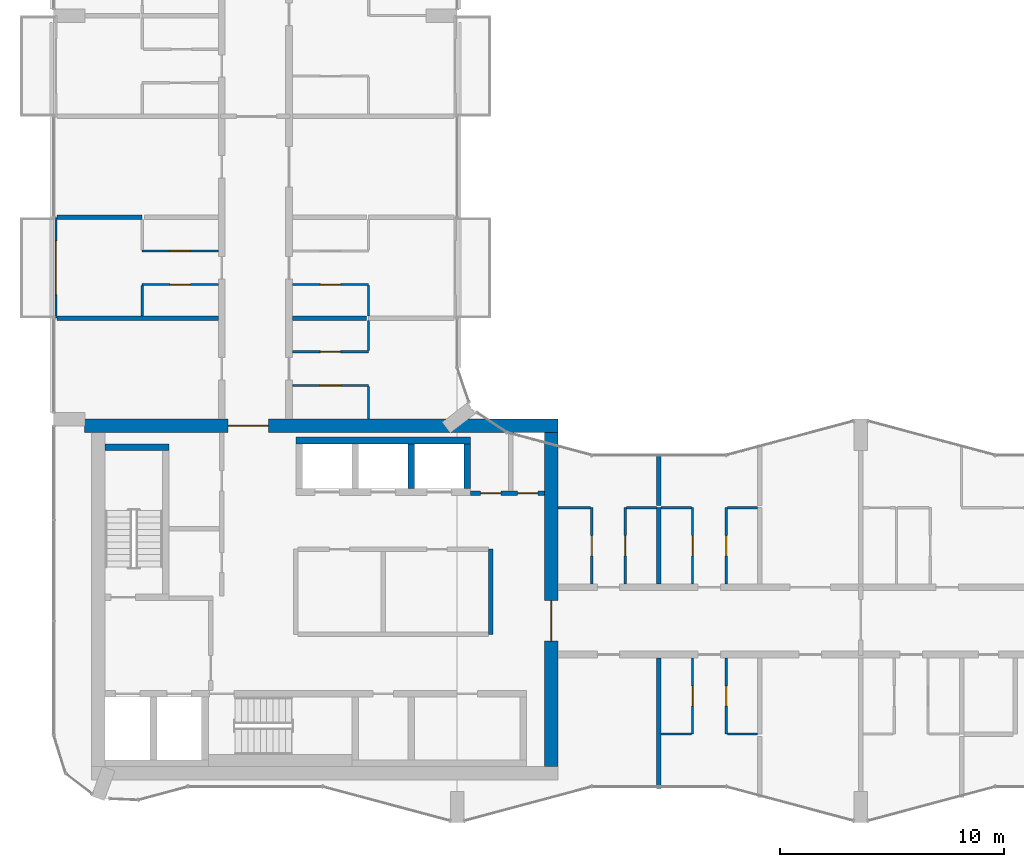
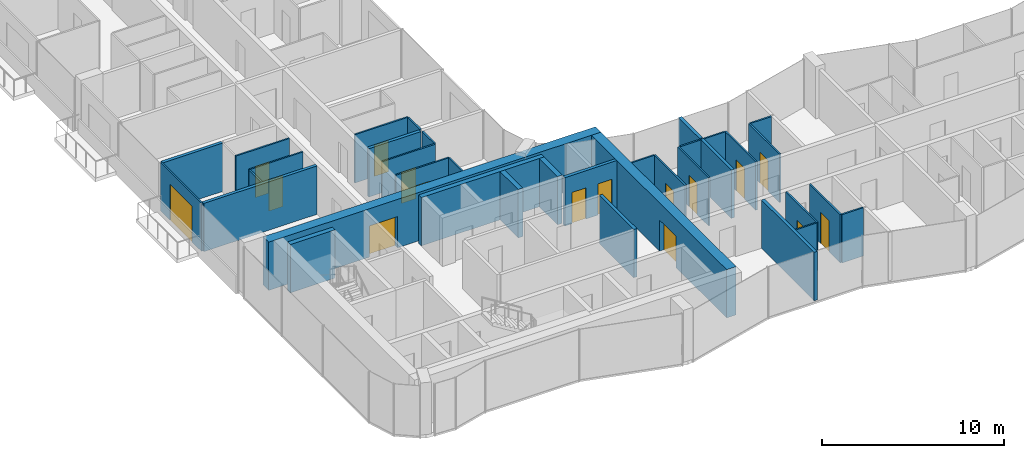
# One storey, part 10 of 16: 36 walls, 16 doors, 16 openings.
"""IFC4 building model written with IfcOpenShell, lengths in metres."""

from ifc_helpers import new_model, si_unit, direction, frame, frame_2d, origin, place, context, subcontext, project, spatial, rectangle, extrude, material, layer, layer_set, type_object, element, fill, save


model = new_model("IFC4")

# Units and contexts
model_context = context("Model", 3, precision=1e-05, world=origin(), true_north=direction((0.0, 1.0)))
body_context = subcontext(model_context, "Body", "Model", "MODEL_VIEW")
ifc_project = project(units=[si_unit("LENGTHUNIT", "METRE"), si_unit("AREAUNIT", "SQUARE_METRE"), si_unit("VOLUMEUNIT", "CUBIC_METRE"), si_unit("PLANEANGLEUNIT", "RADIAN"), si_unit("MASSUNIT", "GRAM", prefix="KILO")], contexts=[model_context])

# Site, building, storey
site_placement = place(None, origin())
site = spatial("IfcSite", under=ifc_project, at=site_placement, CompositionType="ELEMENT")
building_placement = place(site_placement, origin())
building = spatial("IfcBuilding", under=site, at=building_placement, Name="Plateau Cross Towers", CompositionType="ELEMENT")
storey_placement = place(building_placement, frame((0.0, 0.0, 160.39990234375)))
storey = spatial("IfcBuildingStorey", under=building, at=storey_placement, Name="L41", CompositionType="ELEMENT", Elevation=160.39990234375)

# Wall, opening, door
ifc_material_1 = material(Name="Aluminium framed glazing", Category="aluminium")
ifc_layer_1 = layer(ifc_material_1, 0.10009765625)
ifc_layer_set_1 = layer_set([ifc_layer_1], Name="Aluminium framed glazing")
wall_type_1 = type_object("IfcWallType", Name="Balcony screen wall 100", PredefinedType="STANDARD", material=ifc_layer_set_1)
wall_1_placement = place(storey_placement, frame((0.10009765625, 22.5, 0.0), z_axis=(0.0, 0.0, 1.0), x_axis=(0.0, 1.0, 0.0)))
wall_1 = element("IfcWall", 1, at=wall_1_placement, inside=storey, type_object=wall_type_1, Name="Balcony screen wall A-BAL-L41-01", PredefinedType="STANDARD", context=body_context, shape_type="SweptSolid", body=[
    extrude(rectangle(XDim=4.5, YDim=0.10009765625, at=frame_2d((2.25, 0.0))), origin(), (0.0, 0.0, 1.0), 3.25),
])
opening_1_placement = place(wall_1_placement, frame((1.050048828125, 0.0, 0.0)))
opening_1 = element("IfcOpeningElement", 2, at=opening_1_placement, cuts=wall_1, Name="Opening D-B24", PredefinedType="OPENING", context=body_context, shape_type="SweptSolid", body=[
    extrude(rectangle(XDim=2.39990234375, YDim=2.39990234375, at=frame_2d((1.199951171875, 1.199951171875))), frame((0.0, 0.06005859375, 0.0), z_axis=(0.0, -1.0, 0.0), x_axis=(1.0, 0.0, 0.0)), (0.0, 0.0, 1.0), 0.1201171875),
])
ifc_material_2 = material(Name="Aluminium frame, double glazing", Category="aluminium")
door_type_1 = type_object("IfcDoorType", Name="Balcony sliding door 2400", OperationType="NOTDEFINED", PredefinedType="DOOR", material=ifc_material_2)
door_1_placement = place(opening_1_placement, origin())
door_1 = element("IfcDoor", 3, at=door_1_placement, inside=storey, type_object=door_type_1, Name="Balcony door A-BAL-L41-01", OperationType="SINGLE_SWING_LEFT", OverallHeight=2.39990234375, OverallWidth=2.39990234375, PredefinedType="DOOR", context=body_context, shape_type="SweptSolid", body=[
    extrude(rectangle(XDim=2.39990234375, YDim=2.39990234375, at=frame_2d((1.199951171875, 1.199951171875))), frame((0.0, 0.02490234375, 0.0), z_axis=(0.0, -1.0, 0.0), x_axis=(1.0, 0.0, 0.0)), (0.0, 0.0, 1.0), 0.050048828125),
])
fill(opening_1, door_1)

# Wall
ifc_material_3 = material(Name="Concrete block, plastered both sides", Category="concrete")
ifc_layer_2 = layer(ifc_material_3, 0.199951171875)
ifc_layer_set_2 = layer_set([ifc_layer_2], Name="Concrete block, plastered both sides")
wall_type_2 = type_object("IfcWallType", Name="Core partition 200", PredefinedType="PARTITIONING", material=ifc_layer_set_2)
wall_2_placement = place(storey_placement, frame((19.5, 8.39990234375, 0.0), z_axis=(0.0, 0.0, 1.0), x_axis=(0.0, 1.0, 0.0)))
element("IfcWall", 4, at=wall_2_placement, inside=storey, type_object=wall_type_2, Name="Core partition", PredefinedType="PARTITIONING", context=body_context, shape_type="SweptSolid", body=[
    extrude(rectangle(XDim=3.800048828125, YDim=0.199951171875, at=frame_2d((1.89990234375, 0.0))), origin(), (0.0, 0.0, 1.0), 3.25),
])

# Wall, openings, doors
wall_3_placement = place(storey_placement, frame((18.60009765625, 14.699951171875, 0.0), z_axis=(0.0, 0.0, 1.0), x_axis=(1.0, 0.0, 0.0)))
wall_3 = element("IfcWall", 5, at=wall_3_placement, inside=storey, type_object=wall_type_2, Name="Core partition", PredefinedType="PARTITIONING", context=body_context, shape_type="SweptSolid", body=[
    extrude(rectangle(XDim=3.2998046875, YDim=0.199951171875, at=frame_2d((1.64990234375, 0.0))), origin(), (0.0, 0.0, 1.0), 3.25),
])
opening_2_placement = place(wall_3_placement, frame((0.449951171875, 0.0, 0.0)))
opening_2 = element("IfcOpeningElement", 6, at=opening_2_placement, cuts=wall_3, Name="Opening RD2", PredefinedType="OPENING", context=body_context, shape_type="SweptSolid", body=[
    extrude(rectangle(XDim=0.89990234375, YDim=2.10009765625, at=frame_2d((0.449951171875, 1.050048828125))), frame((0.0, 0.10986328125, 0.0), z_axis=(0.0, -1.0, 0.0), x_axis=(1.0, 0.0, 0.0)), (0.0, 0.0, 1.0), 0.219970703125),
])
opening_3_placement = place(wall_3_placement, frame((2.10009765625, 0.0, 0.0)))
opening_3 = element("IfcOpeningElement", 7, at=opening_3_placement, cuts=wall_3, Name="Opening RD2", PredefinedType="OPENING", context=body_context, shape_type="SweptSolid", body=[
    extrude(rectangle(XDim=0.89990234375, YDim=2.10009765625, at=frame_2d((0.449951171875, 1.050048828125))), frame((0.0, 0.10986328125, 0.0), z_axis=(0.0, -1.0, 0.0), x_axis=(1.0, 0.0, 0.0)), (0.0, 0.0, 1.0), 0.219970703125),
])
ifc_material_4 = material(Name="Steel, fire-resisting leaf", Category="steel")
door_type_2 = type_object("IfcDoorType", Name="Core riser door 900", OperationType="NOTDEFINED", PredefinedType="DOOR", material=ifc_material_4)
door_2_placement = place(opening_2_placement, origin())
door_2 = element("IfcDoor", 8, at=door_2_placement, inside=storey, type_object=door_type_2, Name="Core riser door RD2", OperationType="SINGLE_SWING_LEFT", OverallHeight=2.10009765625, OverallWidth=0.89990234375, PredefinedType="DOOR", context=body_context, shape_type="SweptSolid", body=[
    extrude(rectangle(XDim=0.89990234375, YDim=2.10009765625, at=frame_2d((0.449951171875, 1.050048828125))), frame((0.0, 0.02490234375, 0.0), z_axis=(0.0, -1.0, 0.0), x_axis=(1.0, 0.0, 0.0)), (0.0, 0.0, 1.0), 0.050048828125),
])
fill(opening_2, door_2)
door_3_placement = place(opening_3_placement, origin())
door_3 = element("IfcDoor", 9, at=door_3_placement, inside=storey, type_object=door_type_2, Name="Core riser door RD2", OperationType="SINGLE_SWING_LEFT", OverallHeight=2.10009765625, OverallWidth=0.89990234375, PredefinedType="DOOR", context=body_context, shape_type="SweptSolid", body=[
    extrude(rectangle(XDim=0.89990234375, YDim=2.10009765625, at=frame_2d((0.449951171875, 1.050048828125))), frame((0.0, 0.02490234375, 0.0), z_axis=(0.0, -1.0, 0.0), x_axis=(1.0, 0.0, 0.0)), (0.0, 0.0, 1.0), 0.050048828125),
])
fill(opening_3, door_3)

# Walls
ifc_material_5 = material(Name="Concrete C60/75", Category="concrete")
ifc_layer_3 = layer(ifc_material_5, 0.300048828125)
ifc_layer_set_3 = layer_set([ifc_layer_3], Name="Concrete C60/75")
wall_type_3 = type_object("IfcWallType", Name="Core shaft wall 300", PredefinedType="SHEAR", material=ifc_layer_set_3)
wall_4_placement = place(storey_placement, frame((2.300048828125, 16.75, 0.0), z_axis=(0.0, 0.0, 1.0), x_axis=(1.0, 0.0, 0.0)))
element("IfcWall", 10, at=wall_4_placement, inside=storey, type_object=wall_type_3, Name="A-st1-N@L41", PredefinedType="SHEAR", context=body_context, shape_type="SweptSolid", body=[
    extrude(rectangle(XDim=2.849853515625, YDim=0.300048828125, at=frame_2d((1.4248046875, 0.0))), origin(), (0.0, 0.0, 1.0), 3.25),
])
wall_5_placement = place(storey_placement, frame((10.800048828125, 17.050048828125, 0.0), z_axis=(0.0, 0.0, 1.0), x_axis=(1.0, 0.0, 0.0)))
element("IfcWall", 11, at=wall_5_placement, inside=storey, type_object=wall_type_3, Name="A-nb-back@L41", PredefinedType="SHEAR", context=body_context, shape_type="SweptSolid", body=[
    extrude(rectangle(XDim=7.800048828125, YDim=0.300048828125, at=frame_2d((3.89990234375, 0.0))), origin(), (0.0, 0.0, 1.0), 3.25),
])
for number, where, z_axis, x_axis, name in (
    (12, (15.949951171875, 14.89990234375, 0.0), (0.0, 0.0, 1.0), (0.0, 1.0, 0.0), "A-nb-v3@L41"),
    (13, (18.449951171875, 14.89990234375, 0.0), (0.0, 0.0, 1.0), (0.0, 1.0, 0.0), "A-nb-v4@L41"),
):
    element("IfcWall", number, at=place(storey_placement, frame(where, z_axis=z_axis, x_axis=x_axis)), inside=storey, type_object=wall_type_3, Name=name, PredefinedType="SHEAR", context=body_context, shape_type="SweptSolid", body=[
        extrude(rectangle(XDim=2.0, YDim=0.300048828125, at=frame_2d((1.0, 0.0))), origin(), (0.0, 0.0, 1.0), 3.25),
    ])

# Wall, opening, door
ifc_layer_4 = layer(ifc_material_5, 0.60009765625)
ifc_layer_set_4 = layer_set([ifc_layer_4], Name="Concrete C60/75")
wall_type_4 = type_object("IfcWallType", Name="Core shell wall 600", PredefinedType="SHEAR", material=ifc_layer_set_4)
wall_6_placement = place(storey_placement, frame((1.3798828125, 17.699951171875, 0.0), z_axis=(0.0, 0.0, 1.0), x_axis=(1.0, 0.0, 0.0)))
wall_6 = element("IfcWall", 14, at=wall_6_placement, inside=storey, type_object=wall_type_4, Name="A-core-N@L41", PredefinedType="SHEAR", context=body_context, shape_type="SweptSolid", body=[
    extrude(rectangle(XDim=21.1201171875, YDim=0.60009765625, at=frame_2d((10.56005859375, 0.0))), origin(), (0.0, 0.0, 1.0), 3.25),
])
opening_4_placement = place(wall_6_placement, frame((6.39990234375, 0.0, 0.0)))
opening_4 = element("IfcOpeningElement", 15, at=opening_4_placement, cuts=wall_6, Name="Opening CD", PredefinedType="OPENING", context=body_context, shape_type="SweptSolid", body=[
    extrude(rectangle(XDim=1.800048828125, YDim=2.10009765625, at=frame_2d((0.89990234375, 1.050048828125))), frame((0.0, 0.31005859375, 0.0), z_axis=(0.0, -1.0, 0.0), x_axis=(1.0, 0.0, 0.0)), (0.0, 0.0, 1.0), 0.6201171875),
])
ifc_material_6 = material(Name="Steel, fire-resisting leaves", Category="steel")
door_type_3 = type_object("IfcDoorType", Name="Corridor door pair 1800", OperationType="NOTDEFINED", PredefinedType="DOOR", material=ifc_material_6)
door_4_placement = place(opening_4_placement, origin())
door_4 = element("IfcDoor", 16, at=door_4_placement, inside=storey, type_object=door_type_3, Name="Corridor door pair CD", OperationType="DOUBLE_DOOR_SINGLE_SWING", OverallHeight=2.10009765625, OverallWidth=1.800048828125, PredefinedType="DOOR", context=body_context, shape_type="SweptSolid", body=[
    extrude(rectangle(XDim=1.800048828125, YDim=2.10009765625, at=frame_2d((0.89990234375, 1.050048828125))), frame((0.0, 0.02490234375, 0.0), z_axis=(0.0, -1.0, 0.0), x_axis=(1.0, 0.0, 0.0)), (0.0, 0.0, 1.0), 0.050048828125),
])
fill(opening_4, door_4)

wall_7_placement = place(storey_placement, frame((22.199951171875, 2.5, 0.0), z_axis=(0.0, 0.0, 1.0), x_axis=(0.0, 1.0, 0.0)))
wall_7 = element("IfcWall", 17, at=wall_7_placement, inside=storey, type_object=wall_type_4, Name="A-core-E@L41", PredefinedType="SHEAR", context=body_context, shape_type="SweptSolid", body=[
    extrude(rectangle(XDim=14.89990234375, YDim=0.60009765625, at=frame_2d((7.449951171875, 0.0))), origin(), (0.0, 0.0, 1.0), 3.25),
])
opening_5_placement = place(wall_7_placement, frame((5.60009765625, 0.0, 0.0)))
opening_5 = element("IfcOpeningElement", 18, at=opening_5_placement, cuts=wall_7, Name="Opening CD", PredefinedType="OPENING", context=body_context, shape_type="SweptSolid", body=[
    extrude(rectangle(XDim=1.800048828125, YDim=2.10009765625, at=frame_2d((0.89990234375, 1.050048828125))), frame((0.0, 0.31005859375, 0.0), z_axis=(0.0, -1.0, 0.0), x_axis=(1.0, 0.0, 0.0)), (0.0, 0.0, 1.0), 0.6201171875),
])
door_5_placement = place(opening_5_placement, origin())
door_5 = element("IfcDoor", 19, at=door_5_placement, inside=storey, type_object=door_type_3, Name="Corridor door pair CD", OperationType="DOUBLE_DOOR_SINGLE_SWING", OverallHeight=2.10009765625, OverallWidth=1.800048828125, PredefinedType="DOOR", context=body_context, shape_type="SweptSolid", body=[
    extrude(rectangle(XDim=1.800048828125, YDim=2.10009765625, at=frame_2d((0.89990234375, 1.050048828125))), frame((0.0, 0.02490234375, 0.0), z_axis=(0.0, -1.0, 0.0), x_axis=(1.0, 0.0, 0.0)), (0.0, 0.0, 1.0), 0.050048828125),
])
fill(opening_5, door_5)

# Walls
ifc_material_7 = material(Name="Gypsum board on steel studs", Category="steel")
ifc_layer_5 = layer(ifc_material_7, 0.10009765625)
ifc_layer_set_5 = layer_set([ifc_layer_5], Name="Gypsum board on steel studs")
wall_type_5 = type_object("IfcWallType", Name="Flat partition 100", PredefinedType="PARTITIONING", material=ifc_layer_set_5)
for number, where, z_axis, x_axis, name in (
    (20, (27.10009765625, 3.949951171875, 0.0), (0.0, 0.0, 1.0), (1.0, 0.0, 0.0), "Partition wall"),
    (21, (30.050048828125, 3.949951171875, 0.0), (0.0, 0.0, 1.0), (1.0, 0.0, 0.0), "Partition wall"),
):
    element("IfcWall", number, at=place(storey_placement, frame(where, z_axis=z_axis, x_axis=x_axis)), inside=storey, type_object=wall_type_5, Name=name, PredefinedType="PARTITIONING", context=body_context, shape_type="SweptSolid", body=[
        extrude(rectangle(XDim=1.349853515625, YDim=0.10009765625, at=frame_2d((0.6748046875, 0.0))), origin(), (0.0, 0.0, 1.0), 3.25),
    ])
wall_8_placement = place(storey_placement, frame((23.949951171875, 14.050048828125, 0.0), z_axis=(0.0, 0.0, 1.0), x_axis=(-1.0, 0.0, 0.0)))
element("IfcWall", 22, at=wall_8_placement, inside=storey, type_object=wall_type_5, Name="Partition wall", PredefinedType="PARTITIONING", context=body_context, shape_type="SweptSolid", body=[
    extrude(rectangle(XDim=1.449951171875, YDim=0.10009765625, at=frame_2d((0.72509765625, 0.0))), origin(), (0.0, 0.0, 1.0), 3.25),
])
for number, where, z_axis, x_axis, name in (
    (23, (26.89990234375, 14.050048828125, 0.0), (0.0, 0.0, 1.0), (-1.0, 0.0, 0.0), "Partition wall"),
    (24, (28.449951171875, 14.050048828125, 0.0), (0.0, 0.0, 1.0), (-1.0, 0.0, 0.0), "Partition wall"),
    (25, (31.39990234375, 14.050048828125, 0.0), (0.0, 0.0, 1.0), (-1.0, 0.0, 0.0), "Partition wall"),
):
    element("IfcWall", number, at=place(storey_placement, frame(where, z_axis=z_axis, x_axis=x_axis)), inside=storey, type_object=wall_type_5, Name=name, PredefinedType="PARTITIONING", context=body_context, shape_type="SweptSolid", body=[
        extrude(rectangle(XDim=1.349853515625, YDim=0.10009765625, at=frame_2d((0.6748046875, 0.0))), origin(), (0.0, 0.0, 1.0), 3.25),
    ])

# Wall, opening, door
wall_9_placement = place(storey_placement, frame((14.050048828125, 19.5, 0.0), z_axis=(0.0, 0.0, 1.0), x_axis=(-1.0, 0.0, 0.0)))
wall_9 = element("IfcWall", 26, at=wall_9_placement, inside=storey, type_object=wall_type_5, Name="Partition wall", PredefinedType="PARTITIONING", context=body_context, shape_type="SweptSolid", body=[
    extrude(rectangle(XDim=3.400146484375, YDim=0.10009765625, at=frame_2d((1.7001953125, 0.0))), origin(), (0.0, 0.0, 1.0), 3.25),
])
opening_6_placement = place(wall_9_placement, frame((1.25, 0.0, 0.0)))
opening_6 = element("IfcOpeningElement", 27, at=opening_6_placement, cuts=wall_9, Name="Opening 41-48", PredefinedType="OPENING", context=body_context, shape_type="SweptSolid", body=[
    extrude(rectangle(XDim=0.89990234375, YDim=2.10009765625, at=frame_2d((0.449951171875, 1.050048828125))), frame((0.0, 0.06005859375, 0.0), z_axis=(0.0, -1.0, 0.0), x_axis=(1.0, 0.0, 0.0)), (0.0, 0.0, 1.0), 0.1201171875),
])
ifc_material_8 = material(Name="Timber leaf", Category="wood")
door_type_4 = type_object("IfcDoorType", Name="Flat room door 900", OperationType="NOTDEFINED", PredefinedType="DOOR", material=ifc_material_8)
door_6_placement = place(opening_6_placement, origin())
door_6 = element("IfcDoor", 28, at=door_6_placement, inside=storey, type_object=door_type_4, Name="Door 41-48", OperationType="SINGLE_SWING_LEFT", OverallHeight=2.10009765625, OverallWidth=0.89990234375, PredefinedType="DOOR", context=body_context, shape_type="SweptSolid", body=[
    extrude(rectangle(XDim=0.89990234375, YDim=2.10009765625, at=frame_2d((0.449951171875, 1.050048828125))), frame((0.0, 0.02490234375, 0.0), z_axis=(0.0, -1.0, 0.0), x_axis=(1.0, 0.0, 0.0)), (0.0, 0.0, 1.0), 0.050048828125),
])
fill(opening_6, door_6)

wall_10_placement = place(storey_placement, frame((10.64990234375, 21.0, 0.0), z_axis=(0.0, 0.0, 1.0), x_axis=(1.0, 0.0, 0.0)))
wall_10 = element("IfcWall", 29, at=wall_10_placement, inside=storey, type_object=wall_type_5, Name="Partition wall", PredefinedType="PARTITIONING", context=body_context, shape_type="SweptSolid", body=[
    extrude(rectangle(XDim=3.400146484375, YDim=0.10009765625, at=frame_2d((1.7001953125, 0.0))), origin(), (0.0, 0.0, 1.0), 3.25),
])
opening_7_placement = place(wall_10_placement, frame((1.25, 0.0, 0.0)))
opening_7 = element("IfcOpeningElement", 30, at=opening_7_placement, cuts=wall_10, Name="Opening 41-49", PredefinedType="OPENING", context=body_context, shape_type="SweptSolid", body=[
    extrude(rectangle(XDim=0.89990234375, YDim=2.10009765625, at=frame_2d((0.449951171875, 1.050048828125))), frame((0.0, 0.06005859375, 0.0), z_axis=(0.0, -1.0, 0.0), x_axis=(1.0, 0.0, 0.0)), (0.0, 0.0, 1.0), 0.1201171875),
])
door_7_placement = place(opening_7_placement, origin())
door_7 = element("IfcDoor", 31, at=door_7_placement, inside=storey, type_object=door_type_4, Name="Door 41-49", OperationType="SINGLE_SWING_LEFT", OverallHeight=2.10009765625, OverallWidth=0.89990234375, PredefinedType="DOOR", context=body_context, shape_type="SweptSolid", body=[
    extrude(rectangle(XDim=0.89990234375, YDim=2.10009765625, at=frame_2d((0.449951171875, 1.050048828125))), frame((0.0, 0.02490234375, 0.0), z_axis=(0.0, -1.0, 0.0), x_axis=(1.0, 0.0, 0.0)), (0.0, 0.0, 1.0), 0.050048828125),
])
fill(opening_7, door_7)

wall_11_placement = place(storey_placement, frame((7.35009765625, 24.0, 0.0), z_axis=(0.0, 0.0, 1.0), x_axis=(-1.0, 0.0, 0.0)))
wall_11 = element("IfcWall", 32, at=wall_11_placement, inside=storey, type_object=wall_type_5, Name="Partition wall", PredefinedType="PARTITIONING", context=body_context, shape_type="SweptSolid", body=[
    extrude(rectangle(XDim=3.400146484375, YDim=0.10009765625, at=frame_2d((1.7001953125, 0.0))), origin(), (0.0, 0.0, 1.0), 3.25),
])
opening_8_placement = place(wall_11_placement, frame((1.25, 0.0, 0.0)))
opening_8 = element("IfcOpeningElement", 33, at=opening_8_placement, cuts=wall_11, Name="Opening 41-39", PredefinedType="OPENING", context=body_context, shape_type="SweptSolid", body=[
    extrude(rectangle(XDim=0.89990234375, YDim=2.10009765625, at=frame_2d((0.449951171875, 1.050048828125))), frame((0.0, 0.06005859375, 0.0), z_axis=(0.0, -1.0, 0.0), x_axis=(1.0, 0.0, 0.0)), (0.0, 0.0, 1.0), 0.1201171875),
])
door_8_placement = place(opening_8_placement, origin())
door_8 = element("IfcDoor", 34, at=door_8_placement, inside=storey, type_object=door_type_4, Name="Door 41-39", OperationType="SINGLE_SWING_RIGHT", OverallHeight=2.10009765625, OverallWidth=0.89990234375, PredefinedType="DOOR", context=body_context, shape_type="SweptSolid", body=[
    extrude(rectangle(XDim=0.89990234375, YDim=2.10009765625, at=frame_2d((0.449951171875, 1.050048828125))), frame((0.0, 0.02490234375, 0.0), z_axis=(0.0, -1.0, 0.0), x_axis=(1.0, 0.0, 0.0)), (0.0, 0.0, 1.0), 0.050048828125),
])
fill(opening_8, door_8)

wall_12_placement = place(storey_placement, frame((14.050048828125, 24.0, 0.0), z_axis=(0.0, 0.0, 1.0), x_axis=(-1.0, 0.0, 0.0)))
wall_12 = element("IfcWall", 35, at=wall_12_placement, inside=storey, type_object=wall_type_5, Name="Partition wall", PredefinedType="PARTITIONING", context=body_context, shape_type="SweptSolid", body=[
    extrude(rectangle(XDim=3.400146484375, YDim=0.10009765625, at=frame_2d((1.7001953125, 0.0))), origin(), (0.0, 0.0, 1.0), 3.25),
])
opening_9_placement = place(wall_12_placement, frame((1.25, 0.0, 0.0)))
opening_9 = element("IfcOpeningElement", 36, at=opening_9_placement, cuts=wall_12, Name="Opening 41-50", PredefinedType="OPENING", context=body_context, shape_type="SweptSolid", body=[
    extrude(rectangle(XDim=0.89990234375, YDim=2.10009765625, at=frame_2d((0.449951171875, 1.050048828125))), frame((0.0, 0.06005859375, 0.0), z_axis=(0.0, -1.0, 0.0), x_axis=(1.0, 0.0, 0.0)), (0.0, 0.0, 1.0), 0.1201171875),
])
door_9_placement = place(opening_9_placement, origin())
door_9 = element("IfcDoor", 37, at=door_9_placement, inside=storey, type_object=door_type_4, Name="Door 41-50", OperationType="SINGLE_SWING_LEFT", OverallHeight=2.10009765625, OverallWidth=0.89990234375, PredefinedType="DOOR", context=body_context, shape_type="SweptSolid", body=[
    extrude(rectangle(XDim=0.89990234375, YDim=2.10009765625, at=frame_2d((0.449951171875, 1.050048828125))), frame((0.0, 0.02490234375, 0.0), z_axis=(0.0, -1.0, 0.0), x_axis=(1.0, 0.0, 0.0)), (0.0, 0.0, 1.0), 0.050048828125),
])
fill(opening_9, door_9)

wall_13_placement = place(storey_placement, frame((3.949951171875, 25.5, 0.0), z_axis=(0.0, 0.0, 1.0), x_axis=(1.0, 0.0, 0.0)))
wall_13 = element("IfcWall", 38, at=wall_13_placement, inside=storey, type_object=wall_type_5, Name="Partition wall", PredefinedType="PARTITIONING", context=body_context, shape_type="SweptSolid", body=[
    extrude(rectangle(XDim=3.400146484375, YDim=0.10009765625, at=frame_2d((1.7001953125, 0.0))), origin(), (0.0, 0.0, 1.0), 3.25),
])
opening_10_placement = place(wall_13_placement, frame((1.25, 0.0, 0.0)))
opening_10 = element("IfcOpeningElement", 39, at=opening_10_placement, cuts=wall_13, Name="Opening 41-40", PredefinedType="OPENING", context=body_context, shape_type="SweptSolid", body=[
    extrude(rectangle(XDim=0.89990234375, YDim=2.10009765625, at=frame_2d((0.449951171875, 1.050048828125))), frame((0.0, 0.06005859375, 0.0), z_axis=(0.0, -1.0, 0.0), x_axis=(1.0, 0.0, 0.0)), (0.0, 0.0, 1.0), 0.1201171875),
])
door_10_placement = place(opening_10_placement, origin())
door_10 = element("IfcDoor", 40, at=door_10_placement, inside=storey, type_object=door_type_4, Name="Door 41-40", OperationType="SINGLE_SWING_RIGHT", OverallHeight=2.10009765625, OverallWidth=0.89990234375, PredefinedType="DOOR", context=body_context, shape_type="SweptSolid", body=[
    extrude(rectangle(XDim=0.89990234375, YDim=2.10009765625, at=frame_2d((0.449951171875, 1.050048828125))), frame((0.0, 0.02490234375, 0.0), z_axis=(0.0, -1.0, 0.0), x_axis=(1.0, 0.0, 0.0)), (0.0, 0.0, 1.0), 0.050048828125),
])
fill(opening_10, door_10)

# Walls
wall_14_placement = place(storey_placement, frame((3.949951171875, 23.949951171875, 0.0), z_axis=(0.0, 0.0, 1.0), x_axis=(0.0, -1.0, 0.0)))
element("IfcWall", 41, at=wall_14_placement, inside=storey, type_object=wall_type_5, Name="Partition wall", PredefinedType="PARTITIONING", context=body_context, shape_type="SweptSolid", body=[
    extrude(rectangle(XDim=1.349853515625, YDim=0.10009765625, at=frame_2d((0.6748046875, 0.0))), origin(), (0.0, 0.0, 1.0), 3.25),
])
wall_15_placement = place(storey_placement, frame((14.050048828125, 18.0, 0.0), z_axis=(0.0, 0.0, 1.0), x_axis=(0.0, 1.0, 0.0)))
element("IfcWall", 42, at=wall_15_placement, inside=storey, type_object=wall_type_5, Name="Partition wall", PredefinedType="PARTITIONING", context=body_context, shape_type="SweptSolid", body=[
    extrude(rectangle(XDim=1.449951171875, YDim=0.10009765625, at=frame_2d((0.72509765625, 0.0))), origin(), (0.0, 0.0, 1.0), 3.25),
])
for number, where, z_axis, x_axis, name in (
    (43, (14.050048828125, 21.050048828125, 0.0), (0.0, 0.0, 1.0), (0.0, 1.0, 0.0), "Partition wall"),
    (44, (14.050048828125, 22.60009765625, 0.0), (0.0, 0.0, 1.0), (0.0, 1.0, 0.0), "Partition wall"),
):
    element("IfcWall", number, at=place(storey_placement, frame(where, z_axis=z_axis, x_axis=x_axis)), inside=storey, type_object=wall_type_5, Name=name, PredefinedType="PARTITIONING", context=body_context, shape_type="SweptSolid", body=[
        extrude(rectangle(XDim=1.349853515625, YDim=0.10009765625, at=frame_2d((0.6748046875, 0.0))), origin(), (0.0, 0.0, 1.0), 3.25),
    ])

# Wall, opening, door
wall_16_placement = place(storey_placement, frame((24.0, 10.64990234375, 0.0), z_axis=(0.0, 0.0, 1.0), x_axis=(0.0, 1.0, 0.0)))
wall_16 = element("IfcWall", 45, at=wall_16_placement, inside=storey, type_object=wall_type_5, Name="Partition wall", PredefinedType="PARTITIONING", context=body_context, shape_type="SweptSolid", body=[
    extrude(rectangle(XDim=3.400146484375, YDim=0.10009765625, at=frame_2d((1.7001953125, 0.0))), origin(), (0.0, 0.0, 1.0), 3.25),
])
opening_11_placement = place(wall_16_placement, frame((1.25, 0.0, 0.0)))
opening_11 = element("IfcOpeningElement", 46, at=opening_11_placement, cuts=wall_16, Name="Opening 41-30", PredefinedType="OPENING", context=body_context, shape_type="SweptSolid", body=[
    extrude(rectangle(XDim=0.89990234375, YDim=2.10009765625, at=frame_2d((0.449951171875, 1.050048828125))), frame((0.0, 0.06005859375, 0.0), z_axis=(0.0, -1.0, 0.0), x_axis=(1.0, 0.0, 0.0)), (0.0, 0.0, 1.0), 0.1201171875),
])
door_11_placement = place(opening_11_placement, origin())
door_11 = element("IfcDoor", 47, at=door_11_placement, inside=storey, type_object=door_type_4, Name="Door 41-30", OperationType="SINGLE_SWING_LEFT", OverallHeight=2.10009765625, OverallWidth=0.89990234375, PredefinedType="DOOR", context=body_context, shape_type="SweptSolid", body=[
    extrude(rectangle(XDim=0.89990234375, YDim=2.10009765625, at=frame_2d((0.449951171875, 1.050048828125))), frame((0.0, 0.02490234375, 0.0), z_axis=(0.0, -1.0, 0.0), x_axis=(1.0, 0.0, 0.0)), (0.0, 0.0, 1.0), 0.050048828125),
])
fill(opening_11, door_11)

wall_17_placement = place(storey_placement, frame((25.5, 14.050048828125, 0.0), z_axis=(0.0, 0.0, 1.0), x_axis=(0.0, -1.0, 0.0)))
wall_17 = element("IfcWall", 48, at=wall_17_placement, inside=storey, type_object=wall_type_5, Name="Partition wall", PredefinedType="PARTITIONING", context=body_context, shape_type="SweptSolid", body=[
    extrude(rectangle(XDim=3.400146484375, YDim=0.10009765625, at=frame_2d((1.7001953125, 0.0))), origin(), (0.0, 0.0, 1.0), 3.25),
])
opening_12_placement = place(wall_17_placement, frame((1.25, 0.0, 0.0)))
opening_12 = element("IfcOpeningElement", 49, at=opening_12_placement, cuts=wall_17, Name="Opening 41-31", PredefinedType="OPENING", context=body_context, shape_type="SweptSolid", body=[
    extrude(rectangle(XDim=0.89990234375, YDim=2.10009765625, at=frame_2d((0.449951171875, 1.050048828125))), frame((0.0, 0.06005859375, 0.0), z_axis=(0.0, -1.0, 0.0), x_axis=(1.0, 0.0, 0.0)), (0.0, 0.0, 1.0), 0.1201171875),
])
door_12_placement = place(opening_12_placement, origin())
door_12 = element("IfcDoor", 50, at=door_12_placement, inside=storey, type_object=door_type_4, Name="Door 41-31", OperationType="SINGLE_SWING_LEFT", OverallHeight=2.10009765625, OverallWidth=0.89990234375, PredefinedType="DOOR", context=body_context, shape_type="SweptSolid", body=[
    extrude(rectangle(XDim=0.89990234375, YDim=2.10009765625, at=frame_2d((0.449951171875, 1.050048828125))), frame((0.0, 0.02490234375, 0.0), z_axis=(0.0, -1.0, 0.0), x_axis=(1.0, 0.0, 0.0)), (0.0, 0.0, 1.0), 0.050048828125),
])
fill(opening_12, door_12)

wall_18_placement = place(storey_placement, frame((28.5, 3.949951171875, 0.0), z_axis=(0.0, 0.0, 1.0), x_axis=(0.0, 1.0, 0.0)))
wall_18 = element("IfcWall", 51, at=wall_18_placement, inside=storey, type_object=wall_type_5, Name="Partition wall", PredefinedType="PARTITIONING", context=body_context, shape_type="SweptSolid", body=[
    extrude(rectangle(XDim=3.400146484375, YDim=0.10009765625, at=frame_2d((1.7001953125, 0.0))), origin(), (0.0, 0.0, 1.0), 3.25),
])
opening_13_placement = place(wall_18_placement, frame((1.25, 0.0, 0.0)))
opening_13 = element("IfcOpeningElement", 52, at=opening_13_placement, cuts=wall_18, Name="Opening 41-26", PredefinedType="OPENING", context=body_context, shape_type="SweptSolid", body=[
    extrude(rectangle(XDim=0.89990234375, YDim=2.10009765625, at=frame_2d((0.449951171875, 1.050048828125))), frame((0.0, 0.06005859375, 0.0), z_axis=(0.0, -1.0, 0.0), x_axis=(1.0, 0.0, 0.0)), (0.0, 0.0, 1.0), 0.1201171875),
])
door_13_placement = place(opening_13_placement, origin())
door_13 = element("IfcDoor", 53, at=door_13_placement, inside=storey, type_object=door_type_4, Name="Door 41-26", OperationType="SINGLE_SWING_RIGHT", OverallHeight=2.10009765625, OverallWidth=0.89990234375, PredefinedType="DOOR", context=body_context, shape_type="SweptSolid", body=[
    extrude(rectangle(XDim=0.89990234375, YDim=2.10009765625, at=frame_2d((0.449951171875, 1.050048828125))), frame((0.0, 0.02490234375, 0.0), z_axis=(0.0, -1.0, 0.0), x_axis=(1.0, 0.0, 0.0)), (0.0, 0.0, 1.0), 0.050048828125),
])
fill(opening_13, door_13)

wall_19_placement = place(storey_placement, frame((28.5, 10.64990234375, 0.0), z_axis=(0.0, 0.0, 1.0), x_axis=(0.0, 1.0, 0.0)))
wall_19 = element("IfcWall", 54, at=wall_19_placement, inside=storey, type_object=wall_type_5, Name="Partition wall", PredefinedType="PARTITIONING", context=body_context, shape_type="SweptSolid", body=[
    extrude(rectangle(XDim=3.400146484375, YDim=0.10009765625, at=frame_2d((1.7001953125, 0.0))), origin(), (0.0, 0.0, 1.0), 3.25),
])
opening_14_placement = place(wall_19_placement, frame((1.25, 0.0, 0.0)))
opening_14 = element("IfcOpeningElement", 55, at=opening_14_placement, cuts=wall_19, Name="Opening 41-32", PredefinedType="OPENING", context=body_context, shape_type="SweptSolid", body=[
    extrude(rectangle(XDim=0.89990234375, YDim=2.10009765625, at=frame_2d((0.449951171875, 1.050048828125))), frame((0.0, 0.06005859375, 0.0), z_axis=(0.0, -1.0, 0.0), x_axis=(1.0, 0.0, 0.0)), (0.0, 0.0, 1.0), 0.1201171875),
])
door_14_placement = place(opening_14_placement, origin())
door_14 = element("IfcDoor", 56, at=door_14_placement, inside=storey, type_object=door_type_4, Name="Door 41-32", OperationType="SINGLE_SWING_LEFT", OverallHeight=2.10009765625, OverallWidth=0.89990234375, PredefinedType="DOOR", context=body_context, shape_type="SweptSolid", body=[
    extrude(rectangle(XDim=0.89990234375, YDim=2.10009765625, at=frame_2d((0.449951171875, 1.050048828125))), frame((0.0, 0.02490234375, 0.0), z_axis=(0.0, -1.0, 0.0), x_axis=(1.0, 0.0, 0.0)), (0.0, 0.0, 1.0), 0.050048828125),
])
fill(opening_14, door_14)

wall_20_placement = place(storey_placement, frame((30.0, 7.35009765625, 0.0), z_axis=(0.0, 0.0, 1.0), x_axis=(0.0, -1.0, 0.0)))
wall_20 = element("IfcWall", 57, at=wall_20_placement, inside=storey, type_object=wall_type_5, Name="Partition wall", PredefinedType="PARTITIONING", context=body_context, shape_type="SweptSolid", body=[
    extrude(rectangle(XDim=3.400146484375, YDim=0.10009765625, at=frame_2d((1.7001953125, 0.0))), origin(), (0.0, 0.0, 1.0), 3.25),
])
opening_15_placement = place(wall_20_placement, frame((1.25, 0.0, 0.0)))
opening_15 = element("IfcOpeningElement", 58, at=opening_15_placement, cuts=wall_20, Name="Opening 41-27", PredefinedType="OPENING", context=body_context, shape_type="SweptSolid", body=[
    extrude(rectangle(XDim=0.89990234375, YDim=2.10009765625, at=frame_2d((0.449951171875, 1.050048828125))), frame((0.0, 0.06005859375, 0.0), z_axis=(0.0, -1.0, 0.0), x_axis=(1.0, 0.0, 0.0)), (0.0, 0.0, 1.0), 0.1201171875),
])
door_15_placement = place(opening_15_placement, origin())
door_15 = element("IfcDoor", 59, at=door_15_placement, inside=storey, type_object=door_type_4, Name="Door 41-27", OperationType="SINGLE_SWING_RIGHT", OverallHeight=2.10009765625, OverallWidth=0.89990234375, PredefinedType="DOOR", context=body_context, shape_type="SweptSolid", body=[
    extrude(rectangle(XDim=0.89990234375, YDim=2.10009765625, at=frame_2d((0.449951171875, 1.050048828125))), frame((0.0, 0.02490234375, 0.0), z_axis=(0.0, -1.0, 0.0), x_axis=(1.0, 0.0, 0.0)), (0.0, 0.0, 1.0), 0.050048828125),
])
fill(opening_15, door_15)

wall_21_placement = place(storey_placement, frame((30.0, 14.050048828125, 0.0), z_axis=(0.0, 0.0, 1.0), x_axis=(0.0, -1.0, 0.0)))
wall_21 = element("IfcWall", 60, at=wall_21_placement, inside=storey, type_object=wall_type_5, Name="Partition wall", PredefinedType="PARTITIONING", context=body_context, shape_type="SweptSolid", body=[
    extrude(rectangle(XDim=3.400146484375, YDim=0.10009765625, at=frame_2d((1.7001953125, 0.0))), origin(), (0.0, 0.0, 1.0), 3.25),
])
opening_16_placement = place(wall_21_placement, frame((1.25, 0.0, 0.0)))
opening_16 = element("IfcOpeningElement", 61, at=opening_16_placement, cuts=wall_21, Name="Opening 41-33", PredefinedType="OPENING", context=body_context, shape_type="SweptSolid", body=[
    extrude(rectangle(XDim=0.89990234375, YDim=2.10009765625, at=frame_2d((0.449951171875, 1.050048828125))), frame((0.0, 0.06005859375, 0.0), z_axis=(0.0, -1.0, 0.0), x_axis=(1.0, 0.0, 0.0)), (0.0, 0.0, 1.0), 0.1201171875),
])
door_16_placement = place(opening_16_placement, origin())
door_16 = element("IfcDoor", 62, at=door_16_placement, inside=storey, type_object=door_type_4, Name="Door 41-33", OperationType="SINGLE_SWING_LEFT", OverallHeight=2.10009765625, OverallWidth=0.89990234375, PredefinedType="DOOR", context=body_context, shape_type="SweptSolid", body=[
    extrude(rectangle(XDim=0.89990234375, YDim=2.10009765625, at=frame_2d((0.449951171875, 1.050048828125))), frame((0.0, 0.02490234375, 0.0), z_axis=(0.0, -1.0, 0.0), x_axis=(1.0, 0.0, 0.0)), (0.0, 0.0, 1.0), 0.050048828125),
])
fill(opening_16, door_16)

# Walls
ifc_material_9 = material(Name="Gypsum board on steel studs, two layers each side", Category="steel")
ifc_layer_6 = layer(ifc_material_9, 0.199951171875)
ifc_layer_set_6 = layer_set([ifc_layer_6], Name="Gypsum board on steel studs, two layers each side")
wall_type_6 = type_object("IfcWallType", Name="Flat party wall 200", PredefinedType="PARTITIONING", material=ifc_layer_set_6)
wall_22_placement = place(storey_placement, frame((7.35009765625, 22.5, 0.0), z_axis=(0.0, 0.0, 1.0), x_axis=(-1.0, 0.0, 0.0)))
element("IfcWall", 63, at=wall_22_placement, inside=storey, type_object=wall_type_6, Name="Party wall", PredefinedType="PARTITIONING", context=body_context, shape_type="SweptSolid", body=[
    extrude(rectangle(XDim=7.2001953125, YDim=0.199951171875, at=frame_2d((3.60009765625, 0.0))), origin(), (0.0, 0.0, 1.0), 3.25),
])
wall_23_placement = place(storey_placement, frame((13.949951171875, 22.5, 0.0), z_axis=(0.0, 0.0, 1.0), x_axis=(-1.0, 0.0, 0.0)))
element("IfcWall", 64, at=wall_23_placement, inside=storey, type_object=wall_type_6, Name="Party wall", PredefinedType="PARTITIONING", context=body_context, shape_type="SweptSolid", body=[
    extrude(rectangle(XDim=3.300048828125, YDim=0.199951171875, at=frame_2d((1.64990234375, 0.0))), origin(), (0.0, 0.0, 1.0), 3.25),
])
wall_24_placement = place(storey_placement, frame((0.14990234375, 27.0, 0.0), z_axis=(0.0, 0.0, 1.0), x_axis=(1.0, 0.0, 0.0)))
element("IfcWall", 65, at=wall_24_placement, inside=storey, type_object=wall_type_6, Name="Party wall", PredefinedType="PARTITIONING", context=body_context, shape_type="SweptSolid", body=[
    extrude(rectangle(XDim=3.800048828125, YDim=0.199951171875, at=frame_2d((1.89990234375, 0.0))), origin(), (0.0, 0.0, 1.0), 3.25),
])
wall_25_placement = place(storey_placement, frame((27.0, 16.47314453125, 0.0), z_axis=(0.0, 0.0, 1.0), x_axis=(0.0, -1.0, 0.0)))
element("IfcWall", 66, at=wall_25_placement, inside=storey, type_object=wall_type_6, Name="Party wall", PredefinedType="PARTITIONING", context=body_context, shape_type="SweptSolid", body=[
    extrude(rectangle(XDim=2.3232421875, YDim=0.199951171875, at=frame_2d((1.16162109375, 0.0))), origin(), (0.0, 0.0, 1.0), 3.25),
])
wall_26_placement = place(storey_placement, frame((27.0, 1.52685546875, 0.0), z_axis=(0.0, 0.0, 1.0), x_axis=(0.0, 1.0, 0.0)))
element("IfcWall", 67, at=wall_26_placement, inside=storey, type_object=wall_type_6, Name="Party wall", PredefinedType="PARTITIONING", context=body_context, shape_type="SweptSolid", body=[
    extrude(rectangle(XDim=5.8232421875, YDim=0.199951171875, at=frame_2d((2.91162109375, 0.0))), origin(), (0.0, 0.0, 1.0), 3.25),
])
wall_27_placement = place(storey_placement, frame((27.0, 10.64990234375, 0.0), z_axis=(0.0, 0.0, 1.0), x_axis=(0.0, 1.0, 0.0)))
element("IfcWall", 68, at=wall_27_placement, inside=storey, type_object=wall_type_6, Name="Party wall", PredefinedType="PARTITIONING", context=body_context, shape_type="SweptSolid", body=[
    extrude(rectangle(XDim=3.400146484375, YDim=0.199951171875, at=frame_2d((1.7001953125, 0.0))), origin(), (0.0, 0.0, 1.0), 3.25),
])

save(model, "model.ifc")
